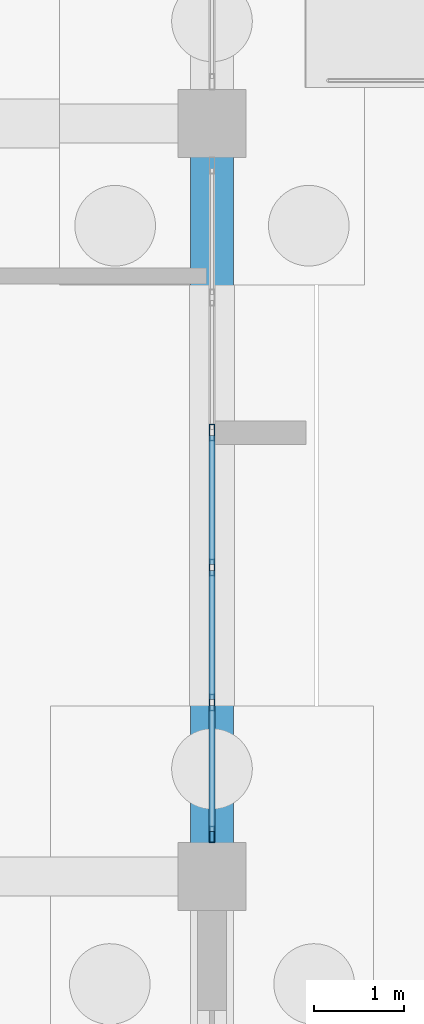
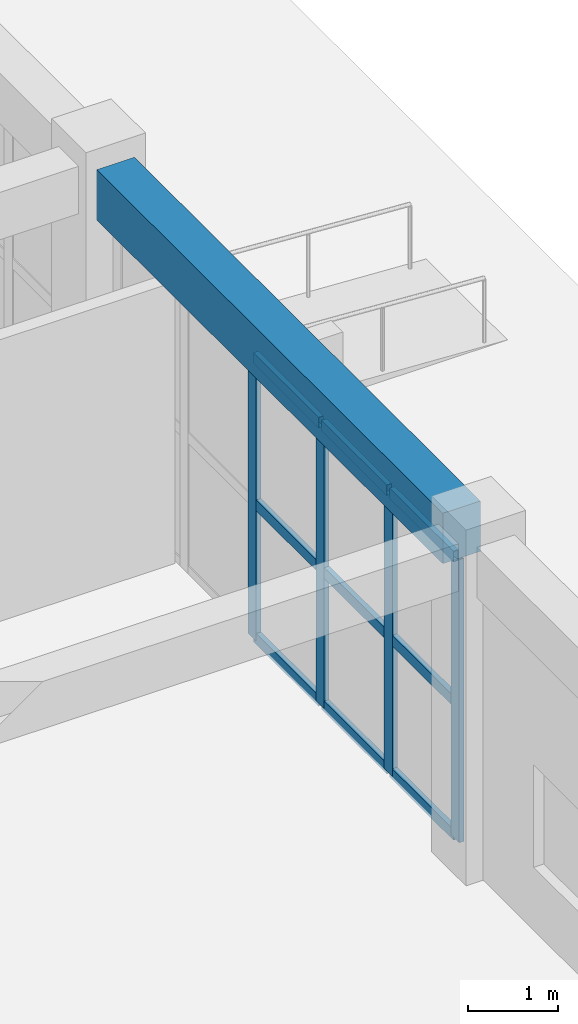
# One storey, part 124 of 192: 13 members, 1 beam, 1 element without a shape of its own.
"""IFC4 building model written with IfcOpenShell, lengths in metres."""

import ifcopenshell
import ifcopenshell.guid

model = None  # the IFC model being written
_history = None  # IfcOwnerHistory: only IFC2X3 demands one
_inside = {}  # id of a spatial element -> (the spatial element, [elements in it])
_under = {}  # id of a project, library or spatial element -> (it, [spatial elements below it])
_declared = {}  # id of a project -> (the project, [libraries it declares])
_typed = {}  # id of a type object -> (the type object, [elements of that type])
_made_of = {}  # id of a material, layer set ... -> (it, [elements and type objects made of it])


def new_model(schema):
    """Start an empty IFC model of exactly this schema.

    Asked for "IFC4X3", IfcOpenShell would pick the latest addendum, in which some entities
    have other attributes; the version numbers below select the first issue.
    IFC2X3 requires an IfcOwnerHistory on every rooted entity: one is made here for all.
    """
    global model, _history
    if schema == "IFC4X3":
        model = ifcopenshell.file(schema_version=(4, 3, 0, 0))
    else:
        model = ifcopenshell.file(schema=schema)
    _inside.clear()
    _under.clear()
    _declared.clear()
    _typed.clear()
    _made_of.clear()
    _history = None
    if model.schema == "IFC2X3":
        org = make("IfcOrganization", Name="unknown")
        user = make(
            "IfcPersonAndOrganization",
            ThePerson=make("IfcPerson", FamilyName="unknown"),
            TheOrganization=org,
        )
        app = make(
            "IfcApplication",
            ApplicationDeveloper=org,
            Version="unknown",
            ApplicationFullName="unknown",
            ApplicationIdentifier="unknown",
        )
        _history = make(
            "IfcOwnerHistory",
            OwningUser=user,
            OwningApplication=app,
            ChangeAction="ADDED",
            CreationDate=0,
        )
    return model


def make(cls, **values):
    """One entity of the class cls with the attributes given. An attribute that is None is left unset."""
    return model.create_entity(
        cls, **{name: value for name, value in values.items() if value is not None}
    )


def rooted(cls, **values):
    """An entity with a GlobalId (a new one), such as an element, a storey or a relation."""
    return make(cls, GlobalId=ifcopenshell.guid.new(), OwnerHistory=_history, **values)


def si_unit(unit_type, name, prefix=None):
    """IfcSIUnit, for example si_unit("LENGTHUNIT", "METRE", prefix="MILLI")."""
    return make("IfcSIUnit", UnitType=unit_type, Prefix=prefix, Name=name)


def assignment(units):
    """IfcUnitAssignment: the units of a project."""
    return None if units is None else make("IfcUnitAssignment", Units=units)


def point(xyz):
    """IfcCartesianPoint."""
    return None if xyz is None else make("IfcCartesianPoint", Coordinates=xyz)


def direction(xyz):
    """IfcDirection."""
    return None if xyz is None else make("IfcDirection", DirectionRatios=xyz)


def frame(location, z_axis=None, x_axis=None):
    """IfcAxis2Placement3D, a coordinate frame: its origin and axes. An axis left out is left unset."""
    return make(
        "IfcAxis2Placement3D",
        Location=point(location),
        Axis=direction(z_axis),
        RefDirection=direction(x_axis),
    )


def frame_2d(location, x_axis=None):
    """IfcAxis2Placement2D, a coordinate frame in the plane: its origin and x axis."""
    return make(
        "IfcAxis2Placement2D", Location=point(location), RefDirection=direction(x_axis)
    )


def origin():
    """The frame at (0, 0, 0) with its axes left unset."""
    return frame((0.0, 0.0, 0.0))


def origin_2d():
    """The frame at (0, 0) in the plane with its x axis left unset."""
    return frame_2d((0.0, 0.0))


def place(relative_to, where):
    """IfcLocalPlacement: puts the frame where relative to a parent placement (None: the world)."""
    return make(
        "IfcLocalPlacement", PlacementRelTo=relative_to, RelativePlacement=where
    )


def context(
    kind, dimensions, precision=None, world=None, true_north=None, identifier=None
):
    """IfcGeometricRepresentationContext, for example the 3D "Model" context."""
    return make(
        "IfcGeometricRepresentationContext",
        ContextIdentifier=identifier,
        ContextType=kind,
        CoordinateSpaceDimension=dimensions,
        Precision=precision,
        WorldCoordinateSystem=world,
        TrueNorth=true_north,
    )


def subcontext(parent, identifier, kind, view, scale=None):
    """IfcGeometricRepresentationSubContext, for example "Body" below "Model"."""
    return make(
        "IfcGeometricRepresentationSubContext",
        ContextIdentifier=identifier,
        ContextType=kind,
        ParentContext=parent,
        TargetScale=scale,
        TargetView=view,
    )


def project(units=None, contexts=None):
    """IfcProject with its units and contexts."""
    return rooted(
        "IfcProject",
        Name="project",
        RepresentationContexts=contexts,
        UnitsInContext=assignment(units),
    )


def spatial(cls, under=None, at=None, **own):
    """A site, building, storey or space (cls), placed at a placement, below another one or the project."""
    s = rooted(cls, ObjectPlacement=at, **own)
    if under is not None:
        _under.setdefault(under.id(), (under, []))[1].append(s)
    return s


def profile(cls, at=None, kind="AREA", **sizes):
    """A parametric profile (cls). Its sizes go by their IFC names, for example OverallWidth=200.0."""
    return make(cls, ProfileType=kind, Position=at, **sizes)


def rectangle(**sizes):
    """IfcRectangleProfileDef."""
    return profile("IfcRectangleProfileDef", **sizes)


def hollow_rectangle(**sizes):
    """IfcRectangleHollowProfileDef."""
    return profile("IfcRectangleHollowProfileDef", **sizes)


def extrude(swept, where, along, depth):
    """IfcExtrudedAreaSolid: the profile swept, set in the frame where, extruded along a direction by depth."""
    return make(
        "IfcExtrudedAreaSolid",
        SweptArea=swept,
        Position=where,
        ExtrudedDirection=direction(along),
        Depth=depth,
    )


def shape(context_of_items, identifier, shape_type, items):
    """IfcShapeRepresentation: the items that make up one representation, for example the "Body"."""
    return make(
        "IfcShapeRepresentation",
        ContextOfItems=context_of_items,
        RepresentationIdentifier=identifier,
        RepresentationType=shape_type,
        Items=items,
    )


def material(Name=None, Category=None):
    """IfcMaterial."""
    return make("IfcMaterial", Name=Name, Category=Category)


def layer(
    of_material, thickness, ventilated=None, Name=None, Category=None, Priority=None
):
    """IfcMaterialLayer: one layer of a wall or slab, of a material (None: an air gap)."""
    return make(
        "IfcMaterialLayer",
        Material=of_material,
        LayerThickness=thickness,
        IsVentilated=ventilated,
        Name=Name,
        Category=Category,
        Priority=Priority,
    )


def layer_set(layers, Name=None):
    """IfcMaterialLayerSet."""
    return make("IfcMaterialLayerSet", MaterialLayers=layers, LayerSetName=Name)


def material_profile(
    of_material, cross_section, Name=None, Category=None, Priority=None
):
    """IfcMaterialProfile: a cross section and its material."""
    return make(
        "IfcMaterialProfile",
        Name=Name,
        Material=of_material,
        Profile=cross_section,
        Priority=Priority,
        Category=Category,
    )


def profile_set(profiles, Name=None, composite=None):
    """IfcMaterialProfileSet."""
    return make(
        "IfcMaterialProfileSet",
        Name=Name,
        MaterialProfiles=profiles,
        CompositeProfile=composite,
    )


def made_of(thing, what):
    """Note that an element or type object is made of a material, layer set ...; save() writes the relation."""
    if what is not None:
        _made_of.setdefault(what.id(), (what, []))[1].append(thing)
    return thing


def type_object(cls, material=None, **own):
    """A type object (cls), such as IfcWallType, which elements share."""
    return made_of(rooted(cls, **own), material)


def element(
    cls,
    number,
    at=None,
    inside=None,
    cuts=None,
    type_object=None,
    material=None,
    context=None,
    identifier="Body",
    shape_type=None,
    held_by="IfcProductDefinitionShape",
    body=None,
    shapes=None,
    **own,
):
    """One element of the class cls, such as IfcWall. Its Tag is "e" and its number.

    at: its placement. inside: the storey or other place that contains it. cuts: it is an
    opening in that element (IfcRelVoidsElement). A single representation is given by context,
    identifier, shape_type and body (its items); several are given by shapes. held_by: the class
    of the entity that holds the representations. save() writes the other relations.
    """
    e = rooted(cls, Tag="e%d" % number, ObjectPlacement=at, **own)
    if body is not None:
        shapes = [shape(context, identifier, shape_type, body)]
    if shapes is not None:
        e.Representation = make(held_by, Representations=shapes)
    if inside is not None:
        _inside.setdefault(inside.id(), (inside, []))[1].append(e)
    if cuts is not None:
        rooted(
            "IfcRelVoidsElement", RelatingBuildingElement=cuts, RelatedOpeningElement=e
        )
    if type_object is not None:
        _typed.setdefault(type_object.id(), (type_object, []))[1].append(e)
    return made_of(e, material)


def aggregate(whole, parts):
    """IfcRelAggregates: a whole, such as a stair, and the parts it consists of."""
    return rooted("IfcRelAggregates", RelatingObject=whole, RelatedObjects=parts)


def save(model, path):
    """Write the relations noted so far, then the file.

    IfcRelAggregates (storeys below a building ...), IfcRelContainedInSpatialStructure (elements
    in a storey), IfcRelDefinesByType, IfcRelAssociatesMaterial and IfcRelDeclares: one each for
    every whole, place, type object, material and project.
    """
    for whole, parts in _under.values():
        aggregate(whole, parts)
    for where, things in _inside.values():
        rooted(
            "IfcRelContainedInSpatialStructure",
            RelatedElements=things,
            RelatingStructure=where,
        )
    for kind, things in _typed.values():
        rooted("IfcRelDefinesByType", RelatedObjects=things, RelatingType=kind)
    for what, things in _made_of.values():
        rooted("IfcRelAssociatesMaterial", RelatedObjects=things, RelatingMaterial=what)
    for by, libraries in _declared.values():
        rooted("IfcRelDeclares", RelatingContext=by, RelatedDefinitions=libraries)
    model.write(path)


model = new_model("IFC4")

# Units and contexts
model_context = context("Model", 3, precision=1e-05, world=origin(), true_north=direction((0.0, 1.0)))
body_context = subcontext(model_context, "Body", "Model", "MODEL_VIEW")
ifc_project = project(units=[si_unit("LENGTHUNIT", "METRE"), si_unit("AREAUNIT", "SQUARE_METRE"), si_unit("VOLUMEUNIT", "CUBIC_METRE"), si_unit("PLANEANGLEUNIT", "RADIAN"), si_unit("MASSUNIT", "GRAM", prefix="KILO")], contexts=[model_context])

# Site, building, storey
site_placement = place(None, origin())
site = spatial("IfcSite", under=ifc_project, at=site_placement, CompositionType="ELEMENT")
building_placement = place(site_placement, origin())
building = spatial("IfcBuilding", under=site, at=building_placement, Name="Trelvath General Hospital", CompositionType="ELEMENT")
storey_placement = place(building_placement, origin())
storey = spatial("IfcBuildingStorey", under=building, at=storey_placement, Name="L00", CompositionType="ELEMENT", Elevation=0.0)

# Beam
ifc_material_1 = material(Name="Concrete C35/45", Category="concrete")
ifc_material_profile_1 = material_profile(ifc_material_1, rectangle(XDim=0.47998046875, YDim=0.679931640625, at=origin_2d()), Name="RCB480x680")
ifc_profile_set_1 = profile_set([ifc_material_profile_1], Name="Concrete C35/45")
beam_type = type_object("IfcBeamType", Name="Beam RC480x680", PredefinedType="BEAM", material=ifc_profile_set_1)
beam_placement = place(storey_placement, frame((184.800048828125, 25.574951171875, 4.179931640625), z_axis=(0.0, 1.0, 0.0), x_axis=(-1.0, 0.0, 0.0)))
element("IfcBeam", 1, at=beam_placement, inside=storey, type_object=beam_type, Name="Grid Beam BY-022D", PredefinedType="BEAM", context=body_context, shape_type="SweptSolid", body=[
    extrude(rectangle(XDim=0.47998046875, YDim=0.679931640625, at=origin_2d()), origin(), (0.0, 0.0, 1.0), 7.650146484375),
])

# Curtain wall, members
ifc_material_2 = material(Name="Anodised aluminium and low-E glass", Category="aluminium")
ifc_layer = layer(ifc_material_2, 0.179931640625)
ifc_layer_set = layer_set([ifc_layer], Name="Anodised aluminium and low-E glass")
curtain_wall_type = type_object("IfcCurtainWallType", Name="CW Facade 753 382 18", PredefinedType="USERDEFINED", material=ifc_layer_set)
curtain_wall_placement = place(storey_placement, origin())
curtain_wall = element("IfcCurtainWall", 2, at=curtain_wall_placement, inside=storey, type_object=curtain_wall_type, Name="Facade Curtain Wall CW-009", ObjectType="Unitised Glazed Curtain Wall", PredefinedType="USERDEFINED")
ifc_material_3 = material(Name="Anodised aluminium", Category="aluminium")
ifc_material_profile_2 = material_profile(ifc_material_3, hollow_rectangle(XDim=0.06494140625, YDim=0.179931640625, WallThickness=0.0048828125, at=origin_2d()), Name="RHS65x180x5")
ifc_profile_set_2 = profile_set([ifc_material_profile_2], Name="Anodised aluminium")
member_type_1 = type_object("IfcMemberType", Name="CurtainMullion 65x180", PredefinedType="MULLION", material=ifc_profile_set_2)
member_1_placement = place(storey_placement, frame((184.800048828125, 30.153076171875, 0.0), z_axis=(0.0, 0.0, 1.0), x_axis=(1.0, 0.0, 0.0)))
member_1 = element("IfcMember", 3, at=member_1_placement, type_object=member_type_1, Name="CW-009 mullion 3", PredefinedType="MULLION", context=body_context, shape_type="SweptSolid", body=[
    extrude(hollow_rectangle(XDim=0.06494140625, YDim=0.179931640625, WallThickness=0.0048828125, at=origin_2d()), origin(), (0.0, 0.0, 1.0), 3.820068359375),
])
member_2_placement = place(storey_placement, frame((184.800048828125, 28.64697265625, 0.0), z_axis=(0.0, 0.0, 1.0), x_axis=(1.0, 0.0, 0.0)))
member_2 = element("IfcMember", 4, at=member_2_placement, type_object=member_type_1, Name="CW-009 mullion 4", PredefinedType="MULLION", context=body_context, shape_type="SweptSolid", body=[
    extrude(hollow_rectangle(XDim=0.06494140625, YDim=0.179931640625, WallThickness=0.0048828125, at=origin_2d()), origin(), (0.0, 0.0, 1.0), 3.820068359375),
])
member_3_placement = place(storey_placement, frame((184.800048828125, 27.14111328125, 0.0), z_axis=(0.0, 0.0, 1.0), x_axis=(1.0, 0.0, 0.0)))
member_3 = element("IfcMember", 5, at=member_3_placement, type_object=member_type_1, Name="CW-009 mullion 5", PredefinedType="MULLION", context=body_context, shape_type="SweptSolid", body=[
    extrude(hollow_rectangle(XDim=0.06494140625, YDim=0.179931640625, WallThickness=0.0048828125, at=origin_2d()), origin(), (0.0, 0.0, 1.0), 3.820068359375),
])
member_4_placement = place(storey_placement, frame((184.800048828125, 25.66748046875, 0.0), z_axis=(0.0, 0.0, 1.0), x_axis=(1.0, 0.0, 0.0)))
member_4 = element("IfcMember", 6, at=member_4_placement, type_object=member_type_1, Name="CW-009 mullion 6", PredefinedType="MULLION", context=body_context, shape_type="SweptSolid", body=[
    extrude(hollow_rectangle(XDim=0.06494140625, YDim=0.179931640625, WallThickness=0.0048828125, at=origin_2d()), origin(), (0.0, 0.0, 1.0), 3.820068359375),
])
ifc_material_4 = material(Name="Anodised aluminium", Category="aluminium")
ifc_material_profile_3 = material_profile(ifc_material_4, hollow_rectangle(XDim=0.06494140625, YDim=0.14501953125, WallThickness=0.00390625, at=origin_2d()), Name="RHS65x145x4")
ifc_profile_set_3 = profile_set([ifc_material_profile_3], Name="Anodised aluminium")
member_type_2 = type_object("IfcMemberType", Name="CurtainTransom 65x145", PredefinedType="USERDEFINED", material=ifc_profile_set_3)
member_5_placement = place(storey_placement, frame((184.800048828125, 30.12060546875, 0.032470703125), z_axis=(0.0, -1.0, 0.0), x_axis=(1.0, 0.0, 0.0)))
member_5 = element("IfcMember", 7, at=member_5_placement, type_object=member_type_2, Name="CW-009 transom 3.1", ObjectType="TRANSOM", PredefinedType="USERDEFINED", context=body_context, shape_type="SweptSolid", body=[
    extrude(hollow_rectangle(XDim=0.06494140625, YDim=0.14501953125, WallThickness=0.00390625, at=origin_2d()), origin(), (0.0, 0.0, 1.0), 1.441162109375),
])
member_6_placement = place(storey_placement, frame((184.800048828125, 30.12060546875, 1.833984375), z_axis=(0.0, -1.0, 0.0), x_axis=(1.0, 0.0, 0.0)))
member_6 = element("IfcMember", 8, at=member_6_placement, type_object=member_type_2, Name="CW-009 transom 3.2", ObjectType="TRANSOM", PredefinedType="USERDEFINED", context=body_context, shape_type="SweptSolid", body=[
    extrude(hollow_rectangle(XDim=0.06494140625, YDim=0.14501953125, WallThickness=0.00390625, at=origin_2d()), origin(), (0.0, 0.0, 1.0), 1.441162109375),
])
member_7_placement = place(storey_placement, frame((184.800048828125, 30.12060546875, 3.78759765625), z_axis=(0.0, -1.0, 0.0), x_axis=(1.0, 0.0, 0.0)))
member_7 = element("IfcMember", 9, at=member_7_placement, type_object=member_type_2, Name="CW-009 transom 3.3", ObjectType="TRANSOM", PredefinedType="USERDEFINED", context=body_context, shape_type="SweptSolid", body=[
    extrude(hollow_rectangle(XDim=0.06494140625, YDim=0.14501953125, WallThickness=0.00390625, at=origin_2d()), origin(), (0.0, 0.0, 1.0), 1.441162109375),
])
member_8_placement = place(storey_placement, frame((184.800048828125, 28.614501953125, 0.032470703125), z_axis=(0.0, -1.0, 0.0), x_axis=(1.0, 0.0, 0.0)))
member_8 = element("IfcMember", 10, at=member_8_placement, type_object=member_type_2, Name="CW-009 transom 4.1", ObjectType="TRANSOM", PredefinedType="USERDEFINED", context=body_context, shape_type="SweptSolid", body=[
    extrude(hollow_rectangle(XDim=0.06494140625, YDim=0.14501953125, WallThickness=0.00390625, at=origin_2d()), origin(), (0.0, 0.0, 1.0), 1.44091796875),
])
member_9_placement = place(storey_placement, frame((184.800048828125, 28.614501953125, 1.833984375), z_axis=(0.0, -1.0, 0.0), x_axis=(1.0, 0.0, 0.0)))
member_9 = element("IfcMember", 11, at=member_9_placement, type_object=member_type_2, Name="CW-009 transom 4.2", ObjectType="TRANSOM", PredefinedType="USERDEFINED", context=body_context, shape_type="SweptSolid", body=[
    extrude(hollow_rectangle(XDim=0.06494140625, YDim=0.14501953125, WallThickness=0.00390625, at=origin_2d()), origin(), (0.0, 0.0, 1.0), 1.44091796875),
])
member_10_placement = place(storey_placement, frame((184.800048828125, 28.614501953125, 3.78759765625), z_axis=(0.0, -1.0, 0.0), x_axis=(1.0, 0.0, 0.0)))
member_10 = element("IfcMember", 12, at=member_10_placement, type_object=member_type_2, Name="CW-009 transom 4.3", ObjectType="TRANSOM", PredefinedType="USERDEFINED", context=body_context, shape_type="SweptSolid", body=[
    extrude(hollow_rectangle(XDim=0.06494140625, YDim=0.14501953125, WallThickness=0.00390625, at=origin_2d()), origin(), (0.0, 0.0, 1.0), 1.44091796875),
])
member_11_placement = place(storey_placement, frame((184.800048828125, 27.1083984375, 0.032470703125), z_axis=(0.0, -1.0, 0.0), x_axis=(1.0, 0.0, 0.0)))
member_11 = element("IfcMember", 13, at=member_11_placement, type_object=member_type_2, Name="CW-009 transom 5.1", ObjectType="TRANSOM", PredefinedType="USERDEFINED", context=body_context, shape_type="SweptSolid", body=[
    extrude(hollow_rectangle(XDim=0.06494140625, YDim=0.14501953125, WallThickness=0.00390625, at=origin_2d()), origin(), (0.0, 0.0, 1.0), 1.408447265625),
])
member_12_placement = place(storey_placement, frame((184.800048828125, 27.1083984375, 1.833984375), z_axis=(0.0, -1.0, 0.0), x_axis=(1.0, 0.0, 0.0)))
member_12 = element("IfcMember", 14, at=member_12_placement, type_object=member_type_2, Name="CW-009 transom 5.2", ObjectType="TRANSOM", PredefinedType="USERDEFINED", context=body_context, shape_type="SweptSolid", body=[
    extrude(hollow_rectangle(XDim=0.06494140625, YDim=0.14501953125, WallThickness=0.00390625, at=origin_2d()), origin(), (0.0, 0.0, 1.0), 1.408447265625),
])
member_13_placement = place(storey_placement, frame((184.800048828125, 27.1083984375, 3.78759765625), z_axis=(0.0, -1.0, 0.0), x_axis=(1.0, 0.0, 0.0)))
member_13 = element("IfcMember", 15, at=member_13_placement, type_object=member_type_2, Name="CW-009 transom 5.3", ObjectType="TRANSOM", PredefinedType="USERDEFINED", context=body_context, shape_type="SweptSolid", body=[
    extrude(hollow_rectangle(XDim=0.06494140625, YDim=0.14501953125, WallThickness=0.00390625, at=origin_2d()), origin(), (0.0, 0.0, 1.0), 1.408447265625),
])
aggregate(curtain_wall, [member_1, member_2, member_3, member_4, member_5, member_6, member_7, member_8, member_9, member_10, member_11, member_12, member_13])

save(model, "model.ifc")
